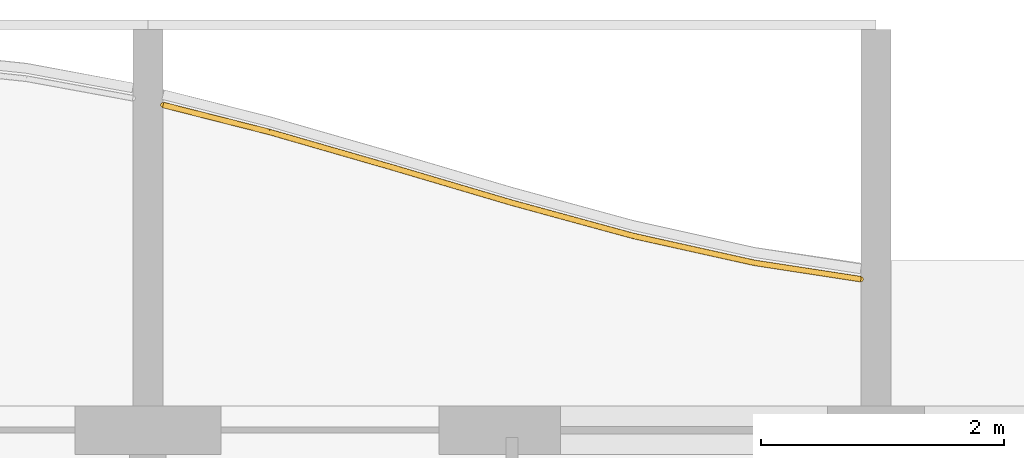
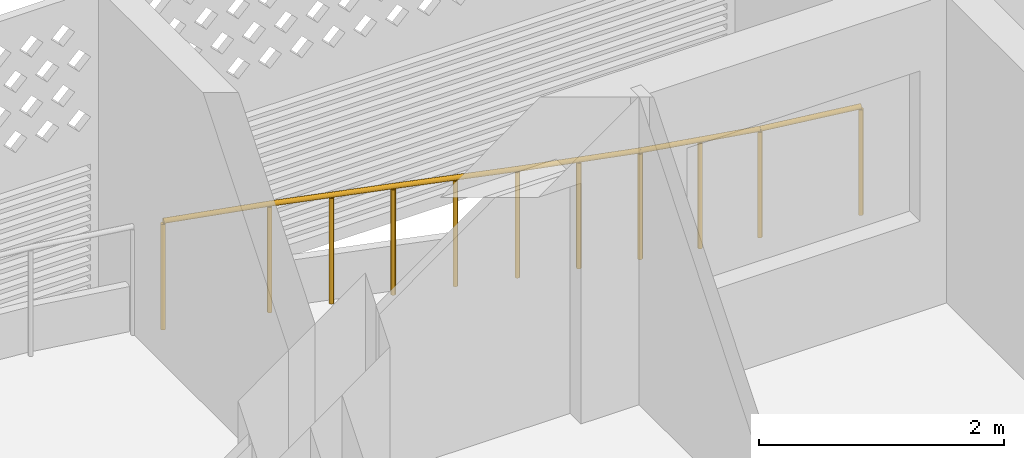
# One storey, part 29 of 32: 1 railing.
"""IFC4 building model written with IfcOpenShell, lengths in metres."""

from ifc_helpers import new_model, si_unit, direction, frame, origin, origin_2d, place, context, subcontext, project, spatial, circle, extrude, material, type_object, element, save


model = new_model("IFC4")

# Units and contexts
model_context = context("Model", 3, precision=1e-05, world=origin(), true_north=direction((0.0, 1.0)))
body_context = subcontext(model_context, "Body", "Model", "MODEL_VIEW")
ifc_project = project(units=[si_unit("LENGTHUNIT", "METRE"), si_unit("AREAUNIT", "SQUARE_METRE"), si_unit("VOLUMEUNIT", "CUBIC_METRE"), si_unit("PLANEANGLEUNIT", "RADIAN"), si_unit("MASSUNIT", "GRAM", prefix="KILO")], contexts=[model_context])

# Site, building, storey
site_placement = place(None, origin())
site = spatial("IfcSite", under=ifc_project, at=site_placement, CompositionType="ELEMENT")
building_placement = place(site_placement, origin())
building = spatial("IfcBuilding", under=site, at=building_placement, Name="Poui Terraces", CompositionType="ELEMENT")
storey_placement = place(building_placement, frame((0.0, 0.0, 122.39990234375)))
storey = spatial("IfcBuildingStorey", under=building, at=storey_placement, Name="L33", CompositionType="ELEMENT", Elevation=122.39990234375)

# Railing
ifc_material = material(Name="Painted steel fretwork", Category="steel")
railing_type = type_object("IfcRailingType", Name="BALCONY GUARD 1100", PredefinedType="GUARDRAIL", material=ifc_material)
railing_placement = place(storey_placement, frame((66.125, 45.080078125, 0.0)))
element("IfcRailing", 1, at=railing_placement, inside=storey, type_object=railing_type, Name="BALCONY GUARD", PredefinedType="GUARDRAIL", context=body_context, shape_type="SweptSolid", body=[
    extrude(circle(Radius=0.02392578125, at=origin_2d()), frame((0.0, 0.0, 1.076171875), z_axis=(0.969180569624, -0.246351422692, 0.0), x_axis=(0.246351422692, 0.969180569624, 0.0)), (0.0, 0.0, 1.0), 0.90283203125),
    extrude(circle(Radius=0.02392578125, at=origin_2d()), frame((0.875, -0.222412109375, 1.076171875), z_axis=(0.960857222001, -0.277044037887, 0.0), x_axis=(0.277044037887, 0.960857222001, 0.0)), (0.0, 0.0, 1.0), 1.040771484375),
    extrude(circle(Radius=0.02392578125, at=origin_2d()), frame((1.875, -0.5107421875, 1.076171875), z_axis=(0.958965639945, -0.283522312005, 0.0), x_axis=(0.283522312005, 0.958965639945, 0.0)), (0.0, 0.0, 1.0), 1.042724609375),
    extrude(circle(Radius=0.02392578125, at=origin_2d()), frame((2.875, -0.806396484375, 1.076171875), z_axis=(0.964649598631, -0.26353586447, 0.0), x_axis=(0.26353586447, 0.964649598631, 0.0)), (0.0, 0.0, 1.0), 1.03662109375),
    extrude(circle(Radius=0.02392578125, at=origin_2d()), frame((3.875, -1.07958984375, 1.076171875), z_axis=(0.976248709224, -0.216652850753, 0.0), x_axis=(0.216652850753, 0.976248709224, 0.0)), (0.0, 0.0, 1.0), 1.0244140625),
    extrude(circle(Radius=0.02392578125, at=origin_2d()), frame((4.875, -1.301513671875, 1.076171875), z_axis=(0.988387633133, -0.151953567482, 0.0), x_axis=(0.151953567482, 0.988387633133, 0.0)), (0.0, 0.0, 1.0), 0.88525390625),
    extrude(circle(Radius=0.02099609375, at=origin_2d()), origin(), (0.0, 0.0, 1.0), 1.052001953125),
    extrude(circle(Radius=0.02099609375, at=origin_2d()), frame((0.875, -0.222412109375, 0.0)), (0.0, 0.0, 1.0), 1.052001953125),
    extrude(circle(Radius=0.02099609375, at=origin_2d()), frame((1.375, -0.36669921875, 0.0)), (0.0, 0.0, 1.0), 1.052001953125),
    extrude(circle(Radius=0.02099609375, at=origin_2d()), frame((1.875, -0.5107421875, 0.0)), (0.0, 0.0, 1.0), 1.052001953125),
    extrude(circle(Radius=0.02099609375, at=origin_2d()), frame((2.375, -0.65869140625, 0.0)), (0.0, 0.0, 1.0), 1.052001953125),
    extrude(circle(Radius=0.02099609375, at=origin_2d()), frame((2.875, -0.806396484375, 0.0)), (0.0, 0.0, 1.0), 1.052001953125),
    extrude(circle(Radius=0.02099609375, at=origin_2d()), frame((3.375, -0.94287109375, 0.0)), (0.0, 0.0, 1.0), 1.052001953125),
    extrude(circle(Radius=0.02099609375, at=origin_2d()), frame((3.875, -1.07958984375, 0.0)), (0.0, 0.0, 1.0), 1.052001953125),
    extrude(circle(Radius=0.02099609375, at=origin_2d()), frame((4.375, -1.1904296875, 0.0)), (0.0, 0.0, 1.0), 1.052001953125),
    extrude(circle(Radius=0.02099609375, at=origin_2d()), frame((4.875, -1.301513671875, 0.0)), (0.0, 0.0, 1.0), 1.052001953125),
    extrude(circle(Radius=0.02099609375, at=origin_2d()), frame((5.75, -1.43603515625, 0.0)), (0.0, 0.0, 1.0), 1.052001953125),
])

save(model, "model.ifc")
